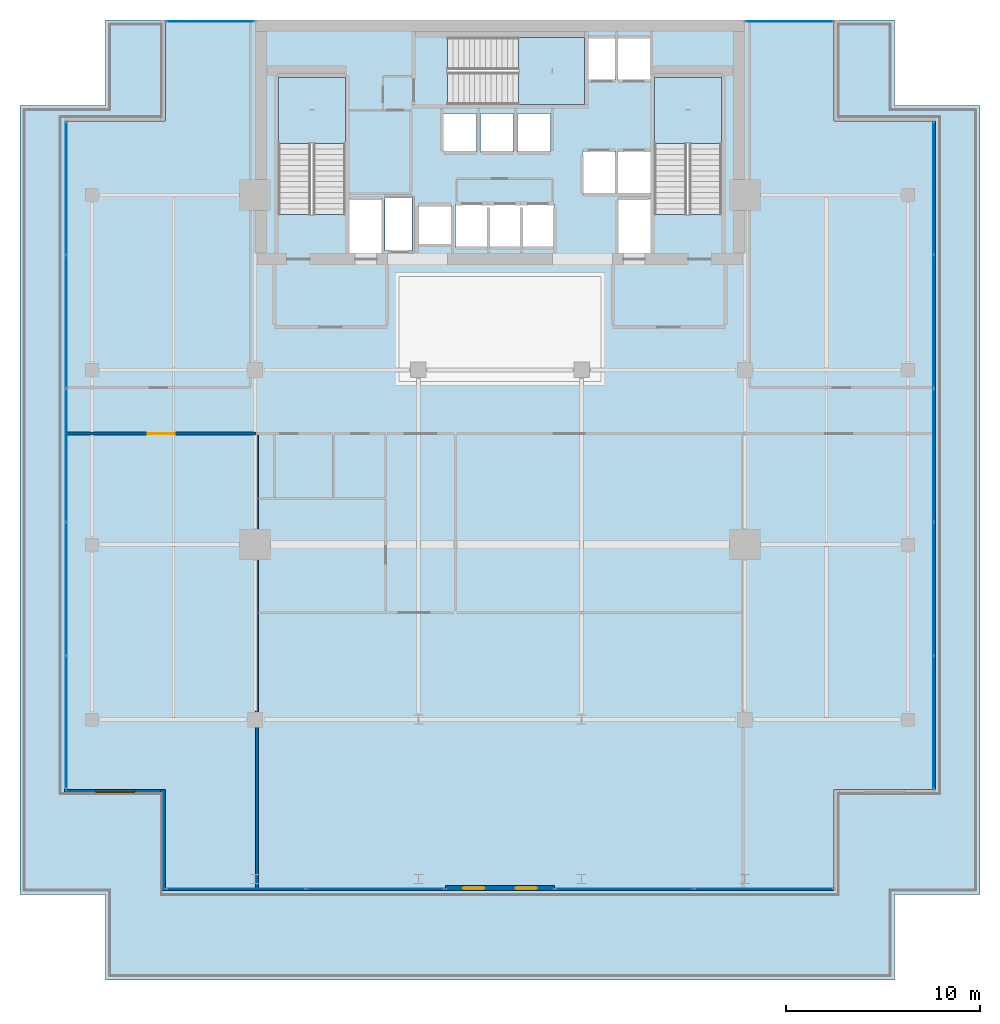
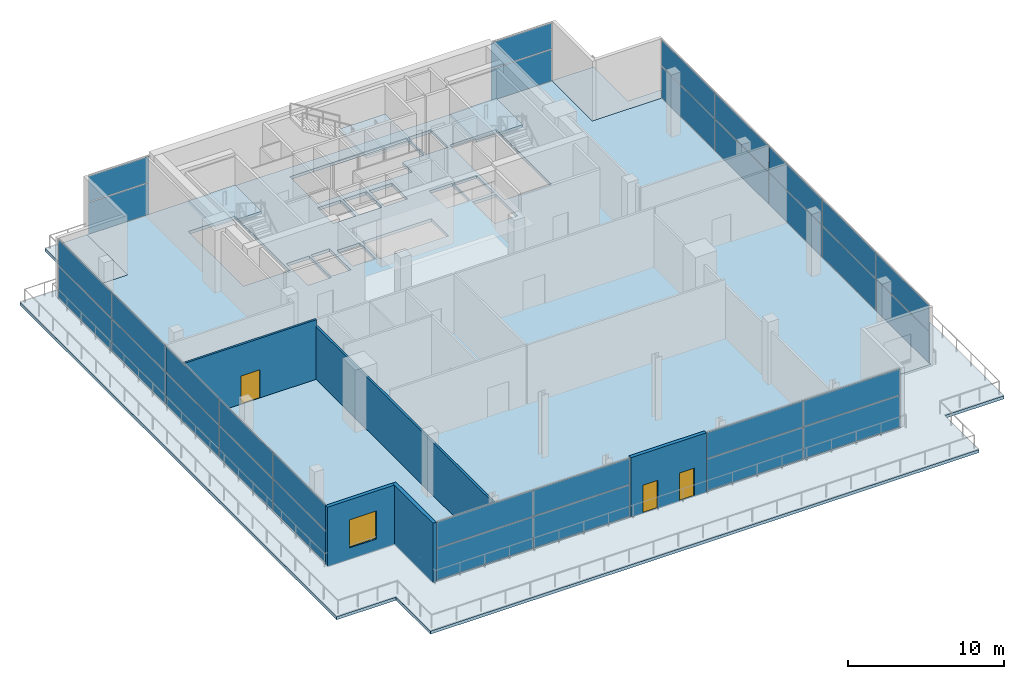
# One storey, part 21 of 28: 32 plates, 5 slabs, 5 walls, 3 doors, 1 window, 4 openings, 9 elements without a shape of their own.
"""IFC4 building model written with IfcOpenShell, lengths in metres."""

from ifc_helpers import new_model, si_unit, direction, frame, frame_2d, origin, origin_2d, place, context, subcontext, project, spatial, polyline, rectangle, outline, extrude, material, layer, layer_set, type_object, element, fill, aggregate, save


model = new_model("IFC4")

# Units and contexts
model_context = context("Model", 3, precision=1e-05, world=origin(), true_north=direction((0.0, 1.0)))
body_context = subcontext(model_context, "Body", "Model", "MODEL_VIEW")
ifc_project = project(units=[si_unit("LENGTHUNIT", "METRE"), si_unit("AREAUNIT", "SQUARE_METRE"), si_unit("VOLUMEUNIT", "CUBIC_METRE"), si_unit("PLANEANGLEUNIT", "RADIAN"), si_unit("MASSUNIT", "GRAM", prefix="KILO")], contexts=[model_context])

# Site, building, storey
site_placement = place(None, origin())
site = spatial("IfcSite", under=ifc_project, at=site_placement, CompositionType="ELEMENT")
building_placement = place(site_placement, origin())
building = spatial("IfcBuilding", under=site, at=building_placement, Name="Maruvema Waterfront Hotel and Observation Tower", CompositionType="ELEMENT")
storey_placement = place(building_placement, frame((0.0, 0.0, 234.5)))
storey = spatial("IfcBuildingStorey", under=building, at=storey_placement, Name="L57", CompositionType="ELEMENT", Elevation=234.5)

# Slabs
ifc_material_1 = material(Name="Concrete C50/60", Category="concrete")
ifc_layer_1 = layer(ifc_material_1, 0.239990234375, Name="Outdoor Setback Terrace Deck Slab 240 mm")
ifc_layer_set_1 = layer_set([ifc_layer_1], Name="Concrete C50/60")
slab_type_1 = type_object("IfcSlabType", Name="Outdoor Setback Terrace Deck Slab 240 mm", PredefinedType="FLOOR", material=ifc_layer_set_1)
slab_1_placement = place(storey_placement, frame((0.0, 0.0, -0.239990234375)))
element("IfcSlab", 1, at=slab_1_placement, inside=storey, type_object=slab_type_1, Name="L57 Outdoor Setback Terrace Deck 1", PredefinedType="FLOOR", context=body_context, shape_type="SweptSolid", body=[
    extrude(outline(polyline([(58.10009765625, 54.0), (58.10009765625, 49.60009765625), (62.5, 49.60009765625), (62.5, 9.0), (58.10009765625, 9.0), (58.10009765625, 4.60009765625), (17.5, 4.60009765625), (17.5, 9.0), (13.10009765625, 9.0), (13.10009765625, 49.60009765625), (17.5, 49.60009765625), (17.5, 54.0), (20.60009765625, 54.0), (20.60009765625, 48.800048828125), (15.39990234375, 48.800048828125), (15.39990234375, 14.39990234375), (20.60009765625, 14.39990234375), (20.60009765625, 9.199951171875), (55.0, 9.199951171875), (55.0, 14.39990234375), (60.199951171875, 14.39990234375), (60.199951171875, 48.800048828125), (55.0, 48.800048828125), (55.0, 54.0), (58.10009765625, 54.0)])), origin(), (0.0, 0.0, 1.0), 0.239990234375),
])
ifc_material_2 = material(Name="Concrete C50/60", Category="concrete")
ifc_layer_2 = layer(ifc_material_2, 0.239990234375, Name="Reinforced Concrete Floor Slab 240 mm")
ifc_layer_set_2 = layer_set([ifc_layer_2], Name="Concrete C50/60")
slab_type_2 = type_object("IfcSlabType", Name="Reinforced Concrete Floor Slab 240 mm", PredefinedType="FLOOR", material=ifc_layer_set_2)
slab_2_placement = place(storey_placement, frame((0.0, 0.0, -0.239990234375)))
element("IfcSlab", 2, at=slab_2_placement, inside=storey, type_object=slab_type_2, Name="L57 Structural Floor Slab", PredefinedType="FLOOR", context=body_context, shape_type="SweptSolid", body=[
    extrude(outline(polyline([(20.60009765625, 9.199951171875), (55.0, 9.199951171875), (55.0, 14.39990234375), (60.199951171875, 14.39990234375), (60.199951171875, 48.800048828125), (55.0, 48.800048828125), (55.0, 54.0), (20.60009765625, 54.0), (20.60009765625, 48.800048828125), (15.39990234375, 48.800048828125), (15.39990234375, 14.39990234375), (20.60009765625, 14.39990234375), (20.60009765625, 9.199951171875)]), holes=[polyline([(26.39990234375, 44.00048828125), (26.39990234375, 51.050048828125), (29.85009765625, 51.050048828125), (29.85009765625, 44.00048828125), (26.39990234375, 44.00048828125)]), polyline([(30.050048828125, 44.800048828125), (31.75, 44.800048828125), (31.75, 42.02001953125), (30.050048828125, 42.02001953125), (30.050048828125, 44.800048828125)]), polyline([(31.8798828125, 44.860107421875), (33.280029296875, 44.860107421875), (33.280029296875, 42.139892578125), (31.8798828125, 42.139892578125), (31.8798828125, 44.860107421875)]), polyline([(33.60009765625, 44.449951171875), (35.300048828125, 44.449951171875), (35.300048828125, 42.449951171875), (33.60009765625, 42.449951171875), (33.60009765625, 44.449951171875)]), polyline([(34.89990234375, 49.199951171875), (36.60009765625, 49.199951171875), (36.60009765625, 47.199951171875), (34.89990234375, 47.199951171875), (34.89990234375, 49.199951171875)]), polyline([(36.800048828125, 49.199951171875), (38.5, 49.199951171875), (38.5, 47.199951171875), (36.800048828125, 47.199951171875), (36.800048828125, 49.199951171875)]), polyline([(35.5, 42.300048828125), (35.5, 44.5), (40.60009765625, 44.5), (40.60009765625, 42.300048828125), (35.5, 42.300048828125)]), polyline([(35.1005859375, 53.10009765625), (43.75, 53.10009765625), (43.75, 50.89990234375), (42.14990234375, 50.89990234375), (42.14990234375, 49.64990234375), (35.1005859375, 49.64990234375), (35.1005859375, 53.10009765625)]), polyline([(38.699951171875, 49.199951171875), (40.39990234375, 49.199951171875), (40.39990234375, 47.199951171875), (38.699951171875, 47.199951171875), (38.699951171875, 49.199951171875)]), polyline([(42.050048828125, 47.25), (43.75, 47.25), (43.75, 45.050048828125), (42.050048828125, 45.050048828125), (42.050048828125, 47.25)]), polyline([(43.85009765625, 44.800048828125), (45.550048828125, 44.800048828125), (45.550048828125, 42.02001953125), (43.85009765625, 42.02001953125), (43.85009765625, 44.800048828125)]), polyline([(43.85009765625, 47.25), (45.550048828125, 47.25), (45.550048828125, 45.050048828125), (43.85009765625, 45.050048828125), (43.85009765625, 47.25)]), polyline([(45.550048828125, 53.10009765625), (45.550048828125, 50.89990234375), (43.85009765625, 50.89990234375), (43.85009765625, 53.10009765625), (45.550048828125, 53.10009765625)]), polyline([(45.75, 44.00048828125), (45.75, 51.050048828125), (49.199951171875, 51.050048828125), (49.199951171875, 44.00048828125), (45.75, 44.00048828125)])]), origin(), (0.0, 0.0, 1.0), 0.239990234375),
])

# Curtain wall, plates
ifc_material_3 = material(Name="Anodised bronze aluminium and solar-control low-E IGU", Category="aluminium")
ifc_layer_3 = layer(ifc_material_3, 0.159912109375, Name="Zone 3 Champagne Inner Thermal Curtain Wall System CW-04")
ifc_layer_set_3 = layer_set([ifc_layer_3], Name="Anodised bronze aluminium and solar-control low-E IGU")
curtain_wall_type = type_object("IfcCurtainWallType", Name="Zone 3 Champagne Inner Thermal Curtain Wall System CW-04", PredefinedType="USERDEFINED", material=ifc_layer_set_3)
curtain_wall_1_placement = place(storey_placement, origin())
curtain_wall_1 = element("IfcCurtainWall", 3, at=curtain_wall_1_placement, inside=storey, type_object=curtain_wall_type, Name="L57 Curtain Wall CW-L57-SW", ObjectType="UNITISED CURTAIN WALL", PredefinedType="USERDEFINED")
ifc_material_4 = material(Name="Laminated low-E solar-control double glazing", Category="glass")
ifc_layer_4 = layer(ifc_material_4, 0.035888671875, Name="Solar Control Double-Glazed Curtain Panel 36 mm")
ifc_layer_set_4 = layer_set([ifc_layer_4], Name="Laminated low-E solar-control double glazing")
plate_type = type_object("IfcPlateType", Name="Solar Control Double-Glazed Curtain Panel 36 mm", PredefinedType="CURTAIN_PANEL", material=ifc_layer_set_4)
plate_1_placement = place(storey_placement, frame((24.215087890625, 9.280029296875, 0.06005859375), z_axis=(0.0, 0.0, 1.0), x_axis=(1.0, 0.0, 0.0)))
plate_1 = element("IfcPlate", 4, at=plate_1_placement, type_object=plate_type, Name="CW-04 panel 1.1", PredefinedType="CURTAIN_PANEL", context=body_context, shape_type="SweptSolid", body=[
    extrude(rectangle(XDim=7.110107421875, YDim=0.028076171875, at=origin_2d()), origin(), (0.0, 0.0, 1.0), 2.4599609375),
])
plate_2_placement = place(storey_placement, frame((24.215087890625, 9.280029296875, 2.580078125), z_axis=(0.0, 0.0, 1.0), x_axis=(1.0, 0.0, 0.0)))
plate_2 = element("IfcPlate", 5, at=plate_2_placement, type_object=plate_type, Name="CW-04 panel 1.2", PredefinedType="CURTAIN_PANEL", context=body_context, shape_type="SweptSolid", body=[
    extrude(rectangle(XDim=7.110107421875, YDim=0.028076171875, at=origin_2d()), origin(), (0.0, 0.0, 1.0), 2.02001953125),
])
plate_3_placement = place(storey_placement, frame((31.385009765625, 9.280029296875, 0.06005859375), z_axis=(0.0, 0.0, 1.0), x_axis=(1.0, 0.0, 0.0)))
plate_3 = element("IfcPlate", 6, at=plate_3_placement, type_object=plate_type, Name="CW-04 panel 2.1", PredefinedType="CURTAIN_PANEL", context=body_context, shape_type="SweptSolid", body=[
    extrude(rectangle(XDim=7.110107421875, YDim=0.028076171875, at=origin_2d()), origin(), (0.0, 0.0, 1.0), 2.4599609375),
])
plate_4_placement = place(storey_placement, frame((31.385009765625, 9.280029296875, 2.580078125), z_axis=(0.0, 0.0, 1.0), x_axis=(1.0, 0.0, 0.0)))
plate_4 = element("IfcPlate", 7, at=plate_4_placement, type_object=plate_type, Name="CW-04 panel 2.2", PredefinedType="CURTAIN_PANEL", context=body_context, shape_type="SweptSolid", body=[
    extrude(rectangle(XDim=7.110107421875, YDim=0.028076171875, at=origin_2d()), origin(), (0.0, 0.0, 1.0), 2.02001953125),
])
aggregate(curtain_wall_1, [plate_1, plate_2, plate_3, plate_4])

curtain_wall_2_placement = place(storey_placement, origin())
curtain_wall_2 = element("IfcCurtainWall", 8, at=curtain_wall_2_placement, inside=storey, type_object=curtain_wall_type, Name="L57 Curtain Wall CW-L57-SE", ObjectType="UNITISED CURTAIN WALL", PredefinedType="USERDEFINED")
plate_5_placement = place(storey_placement, frame((44.215087890625, 9.280029296875, 0.06005859375), z_axis=(0.0, 0.0, 1.0), x_axis=(1.0, 0.0, 0.0)))
plate_5 = element("IfcPlate", 9, at=plate_5_placement, type_object=plate_type, Name="CW-04 panel 1.1", PredefinedType="CURTAIN_PANEL", context=body_context, shape_type="SweptSolid", body=[
    extrude(rectangle(XDim=7.110107421875, YDim=0.028076171875, at=origin_2d()), origin(), (0.0, 0.0, 1.0), 2.4599609375),
])
plate_6_placement = place(storey_placement, frame((44.215087890625, 9.280029296875, 2.580078125), z_axis=(0.0, 0.0, 1.0), x_axis=(1.0, 0.0, 0.0)))
plate_6 = element("IfcPlate", 10, at=plate_6_placement, type_object=plate_type, Name="CW-04 panel 1.2", PredefinedType="CURTAIN_PANEL", context=body_context, shape_type="SweptSolid", body=[
    extrude(rectangle(XDim=7.110107421875, YDim=0.028076171875, at=origin_2d()), origin(), (0.0, 0.0, 1.0), 2.02001953125),
])
plate_7_placement = place(storey_placement, frame((51.385009765625, 9.280029296875, 0.06005859375), z_axis=(0.0, 0.0, 1.0), x_axis=(1.0, 0.0, 0.0)))
plate_7 = element("IfcPlate", 11, at=plate_7_placement, type_object=plate_type, Name="CW-04 panel 2.1", PredefinedType="CURTAIN_PANEL", context=body_context, shape_type="SweptSolid", body=[
    extrude(rectangle(XDim=7.110107421875, YDim=0.028076171875, at=origin_2d()), origin(), (0.0, 0.0, 1.0), 2.4599609375),
])
plate_8_placement = place(storey_placement, frame((51.385009765625, 9.280029296875, 2.580078125), z_axis=(0.0, 0.0, 1.0), x_axis=(1.0, 0.0, 0.0)))
plate_8 = element("IfcPlate", 12, at=plate_8_placement, type_object=plate_type, Name="CW-04 panel 2.2", PredefinedType="CURTAIN_PANEL", context=body_context, shape_type="SweptSolid", body=[
    extrude(rectangle(XDim=7.110107421875, YDim=0.028076171875, at=origin_2d()), origin(), (0.0, 0.0, 1.0), 2.02001953125),
])
aggregate(curtain_wall_2, [plate_5, plate_6, plate_7, plate_8])

curtain_wall_3_placement = place(storey_placement, origin())
curtain_wall_3 = element("IfcCurtainWall", 13, at=curtain_wall_3_placement, inside=storey, type_object=curtain_wall_type, Name="L57 Curtain Wall CW-L57-E", ObjectType="UNITISED CURTAIN WALL", PredefinedType="USERDEFINED")
plate_9_placement = place(storey_placement, frame((60.1201171875, 17.85498046875, 0.06005859375), z_axis=(0.0, 0.0, 1.0), x_axis=(0.0, 1.0, 0.0)))
plate_9 = element("IfcPlate", 14, at=plate_9_placement, type_object=plate_type, Name="CW-04 panel 1.1", PredefinedType="CURTAIN_PANEL", context=body_context, shape_type="SweptSolid", body=[
    extrude(rectangle(XDim=6.7900390625, YDim=0.028076171875, at=origin_2d()), origin(), (0.0, 0.0, 1.0), 2.4599609375),
])
plate_10_placement = place(storey_placement, frame((60.1201171875, 17.85498046875, 2.580078125), z_axis=(0.0, 0.0, 1.0), x_axis=(0.0, 1.0, 0.0)))
plate_10 = element("IfcPlate", 15, at=plate_10_placement, type_object=plate_type, Name="CW-04 panel 1.2", PredefinedType="CURTAIN_PANEL", context=body_context, shape_type="SweptSolid", body=[
    extrude(rectangle(XDim=6.7900390625, YDim=0.028076171875, at=origin_2d()), origin(), (0.0, 0.0, 1.0), 2.02001953125),
])
plate_11_placement = place(storey_placement, frame((60.1201171875, 24.719970703125, 0.06005859375), z_axis=(0.0, 0.0, 1.0), x_axis=(0.0, 1.0, 0.0)))
plate_11 = element("IfcPlate", 16, at=plate_11_placement, type_object=plate_type, Name="CW-04 panel 2.1", PredefinedType="CURTAIN_PANEL", context=body_context, shape_type="SweptSolid", body=[
    extrude(rectangle(XDim=6.820068359375, YDim=0.028076171875, at=origin_2d()), origin(), (0.0, 0.0, 1.0), 2.4599609375),
])
plate_12_placement = place(storey_placement, frame((60.1201171875, 24.719970703125, 2.580078125), z_axis=(0.0, 0.0, 1.0), x_axis=(0.0, 1.0, 0.0)))
plate_12 = element("IfcPlate", 17, at=plate_12_placement, type_object=plate_type, Name="CW-04 panel 2.2", PredefinedType="CURTAIN_PANEL", context=body_context, shape_type="SweptSolid", body=[
    extrude(rectangle(XDim=6.820068359375, YDim=0.028076171875, at=origin_2d()), origin(), (0.0, 0.0, 1.0), 2.02001953125),
])
plate_13_placement = place(storey_placement, frame((60.1201171875, 31.60009765625, 0.06005859375), z_axis=(0.0, 0.0, 1.0), x_axis=(0.0, 1.0, 0.0)))
plate_13 = element("IfcPlate", 18, at=plate_13_placement, type_object=plate_type, Name="CW-04 panel 3.1", PredefinedType="CURTAIN_PANEL", context=body_context, shape_type="SweptSolid", body=[
    extrude(rectangle(XDim=6.820068359375, YDim=0.028076171875, at=origin_2d()), origin(), (0.0, 0.0, 1.0), 2.4599609375),
])
plate_14_placement = place(storey_placement, frame((60.1201171875, 31.60009765625, 2.580078125), z_axis=(0.0, 0.0, 1.0), x_axis=(0.0, 1.0, 0.0)))
plate_14 = element("IfcPlate", 19, at=plate_14_placement, type_object=plate_type, Name="CW-04 panel 3.2", PredefinedType="CURTAIN_PANEL", context=body_context, shape_type="SweptSolid", body=[
    extrude(rectangle(XDim=6.820068359375, YDim=0.028076171875, at=origin_2d()), origin(), (0.0, 0.0, 1.0), 2.02001953125),
])
plate_15_placement = place(storey_placement, frame((60.1201171875, 38.47998046875, 0.06005859375), z_axis=(0.0, 0.0, 1.0), x_axis=(0.0, 1.0, 0.0)))
plate_15 = element("IfcPlate", 20, at=plate_15_placement, type_object=plate_type, Name="CW-04 panel 4.1", PredefinedType="CURTAIN_PANEL", context=body_context, shape_type="SweptSolid", body=[
    extrude(rectangle(XDim=6.820068359375, YDim=0.028076171875, at=origin_2d()), origin(), (0.0, 0.0, 1.0), 2.4599609375),
])
plate_16_placement = place(storey_placement, frame((60.1201171875, 38.47998046875, 2.580078125), z_axis=(0.0, 0.0, 1.0), x_axis=(0.0, 1.0, 0.0)))
plate_16 = element("IfcPlate", 21, at=plate_16_placement, type_object=plate_type, Name="CW-04 panel 4.2", PredefinedType="CURTAIN_PANEL", context=body_context, shape_type="SweptSolid", body=[
    extrude(rectangle(XDim=6.820068359375, YDim=0.028076171875, at=origin_2d()), origin(), (0.0, 0.0, 1.0), 2.02001953125),
])
plate_17_placement = place(storey_placement, frame((60.1201171875, 45.344970703125, 0.06005859375), z_axis=(0.0, 0.0, 1.0), x_axis=(0.0, 1.0, 0.0)))
plate_17 = element("IfcPlate", 22, at=plate_17_placement, type_object=plate_type, Name="CW-04 panel 5.1", PredefinedType="CURTAIN_PANEL", context=body_context, shape_type="SweptSolid", body=[
    extrude(rectangle(XDim=6.7900390625, YDim=0.028076171875, at=origin_2d()), origin(), (0.0, 0.0, 1.0), 2.4599609375),
])
plate_18_placement = place(storey_placement, frame((60.1201171875, 45.344970703125, 2.580078125), z_axis=(0.0, 0.0, 1.0), x_axis=(0.0, 1.0, 0.0)))
plate_18 = element("IfcPlate", 23, at=plate_18_placement, type_object=plate_type, Name="CW-04 panel 5.2", PredefinedType="CURTAIN_PANEL", context=body_context, shape_type="SweptSolid", body=[
    extrude(rectangle(XDim=6.7900390625, YDim=0.028076171875, at=origin_2d()), origin(), (0.0, 0.0, 1.0), 2.02001953125),
])
aggregate(curtain_wall_3, [plate_9, plate_10, plate_11, plate_12, plate_13, plate_14, plate_15, plate_16, plate_17, plate_18])

curtain_wall_4_placement = place(storey_placement, origin())
curtain_wall_4 = element("IfcCurtainWall", 24, at=curtain_wall_4_placement, inside=storey, type_object=curtain_wall_type, Name="L57 Curtain Wall CW-L57-W", ObjectType="UNITISED CURTAIN WALL", PredefinedType="USERDEFINED")
plate_19_placement = place(storey_placement, frame((15.47998046875, 45.344970703125, 0.06005859375), z_axis=(0.0, 0.0, 1.0), x_axis=(0.0, -1.0, 0.0)))
plate_19 = element("IfcPlate", 25, at=plate_19_placement, type_object=plate_type, Name="CW-04 panel 1.1", PredefinedType="CURTAIN_PANEL", context=body_context, shape_type="SweptSolid", body=[
    extrude(rectangle(XDim=6.7900390625, YDim=0.028076171875, at=origin_2d()), origin(), (0.0, 0.0, 1.0), 2.4599609375),
])
plate_20_placement = place(storey_placement, frame((15.47998046875, 45.344970703125, 2.580078125), z_axis=(0.0, 0.0, 1.0), x_axis=(0.0, -1.0, 0.0)))
plate_20 = element("IfcPlate", 26, at=plate_20_placement, type_object=plate_type, Name="CW-04 panel 1.2", PredefinedType="CURTAIN_PANEL", context=body_context, shape_type="SweptSolid", body=[
    extrude(rectangle(XDim=6.7900390625, YDim=0.028076171875, at=origin_2d()), origin(), (0.0, 0.0, 1.0), 2.02001953125),
])
plate_21_placement = place(storey_placement, frame((15.47998046875, 38.47998046875, 0.06005859375), z_axis=(0.0, 0.0, 1.0), x_axis=(0.0, -1.0, 0.0)))
plate_21 = element("IfcPlate", 27, at=plate_21_placement, type_object=plate_type, Name="CW-04 panel 2.1", PredefinedType="CURTAIN_PANEL", context=body_context, shape_type="SweptSolid", body=[
    extrude(rectangle(XDim=6.820068359375, YDim=0.028076171875, at=origin_2d()), origin(), (0.0, 0.0, 1.0), 2.4599609375),
])
plate_22_placement = place(storey_placement, frame((15.47998046875, 38.47998046875, 2.580078125), z_axis=(0.0, 0.0, 1.0), x_axis=(0.0, -1.0, 0.0)))
plate_22 = element("IfcPlate", 28, at=plate_22_placement, type_object=plate_type, Name="CW-04 panel 2.2", PredefinedType="CURTAIN_PANEL", context=body_context, shape_type="SweptSolid", body=[
    extrude(rectangle(XDim=6.820068359375, YDim=0.028076171875, at=origin_2d()), origin(), (0.0, 0.0, 1.0), 2.02001953125),
])
plate_23_placement = place(storey_placement, frame((15.47998046875, 31.60009765625, 0.06005859375), z_axis=(0.0, 0.0, 1.0), x_axis=(0.0, -1.0, 0.0)))
plate_23 = element("IfcPlate", 29, at=plate_23_placement, type_object=plate_type, Name="CW-04 panel 3.1", PredefinedType="CURTAIN_PANEL", context=body_context, shape_type="SweptSolid", body=[
    extrude(rectangle(XDim=6.820068359375, YDim=0.028076171875, at=origin_2d()), origin(), (0.0, 0.0, 1.0), 2.4599609375),
])
plate_24_placement = place(storey_placement, frame((15.47998046875, 31.60009765625, 2.580078125), z_axis=(0.0, 0.0, 1.0), x_axis=(0.0, -1.0, 0.0)))
plate_24 = element("IfcPlate", 30, at=plate_24_placement, type_object=plate_type, Name="CW-04 panel 3.2", PredefinedType="CURTAIN_PANEL", context=body_context, shape_type="SweptSolid", body=[
    extrude(rectangle(XDim=6.820068359375, YDim=0.028076171875, at=origin_2d()), origin(), (0.0, 0.0, 1.0), 2.02001953125),
])
plate_25_placement = place(storey_placement, frame((15.47998046875, 24.719970703125, 0.06005859375), z_axis=(0.0, 0.0, 1.0), x_axis=(0.0, -1.0, 0.0)))
plate_25 = element("IfcPlate", 31, at=plate_25_placement, type_object=plate_type, Name="CW-04 panel 4.1", PredefinedType="CURTAIN_PANEL", context=body_context, shape_type="SweptSolid", body=[
    extrude(rectangle(XDim=6.820068359375, YDim=0.028076171875, at=origin_2d()), origin(), (0.0, 0.0, 1.0), 2.4599609375),
])
plate_26_placement = place(storey_placement, frame((15.47998046875, 24.719970703125, 2.580078125), z_axis=(0.0, 0.0, 1.0), x_axis=(0.0, -1.0, 0.0)))
plate_26 = element("IfcPlate", 32, at=plate_26_placement, type_object=plate_type, Name="CW-04 panel 4.2", PredefinedType="CURTAIN_PANEL", context=body_context, shape_type="SweptSolid", body=[
    extrude(rectangle(XDim=6.820068359375, YDim=0.028076171875, at=origin_2d()), origin(), (0.0, 0.0, 1.0), 2.02001953125),
])
plate_27_placement = place(storey_placement, frame((15.47998046875, 17.85498046875, 0.06005859375), z_axis=(0.0, 0.0, 1.0), x_axis=(0.0, -1.0, 0.0)))
plate_27 = element("IfcPlate", 33, at=plate_27_placement, type_object=plate_type, Name="CW-04 panel 5.1", PredefinedType="CURTAIN_PANEL", context=body_context, shape_type="SweptSolid", body=[
    extrude(rectangle(XDim=6.7900390625, YDim=0.028076171875, at=origin_2d()), origin(), (0.0, 0.0, 1.0), 2.4599609375),
])
plate_28_placement = place(storey_placement, frame((15.47998046875, 17.85498046875, 2.580078125), z_axis=(0.0, 0.0, 1.0), x_axis=(0.0, -1.0, 0.0)))
plate_28 = element("IfcPlate", 34, at=plate_28_placement, type_object=plate_type, Name="CW-04 panel 5.2", PredefinedType="CURTAIN_PANEL", context=body_context, shape_type="SweptSolid", body=[
    extrude(rectangle(XDim=6.7900390625, YDim=0.028076171875, at=origin_2d()), origin(), (0.0, 0.0, 1.0), 2.02001953125),
])
aggregate(curtain_wall_4, [plate_19, plate_20, plate_21, plate_22, plate_23, plate_24, plate_25, plate_26, plate_27, plate_28])

curtain_wall_5_placement = place(storey_placement, origin())
curtain_wall_5 = element("IfcCurtainWall", 35, at=curtain_wall_5_placement, inside=storey, type_object=curtain_wall_type, Name="L57 Curtain Wall CW-L57-NW", ObjectType="UNITISED CURTAIN WALL", PredefinedType="USERDEFINED")
plate_29_placement = place(storey_placement, frame((22.89990234375, 53.919921875, 0.06005859375), z_axis=(0.0, 0.0, 1.0), x_axis=(-1.0, 0.0, 0.0)))
plate_29 = element("IfcPlate", 36, at=plate_29_placement, type_object=plate_type, Name="CW-04 panel 1.1", PredefinedType="CURTAIN_PANEL", context=body_context, shape_type="SweptSolid", body=[
    extrude(rectangle(XDim=4.47998046875, YDim=0.028076171875, at=origin_2d()), origin(), (0.0, 0.0, 1.0), 2.4599609375),
])
plate_30_placement = place(storey_placement, frame((22.89990234375, 53.919921875, 2.580078125), z_axis=(0.0, 0.0, 1.0), x_axis=(-1.0, 0.0, 0.0)))
plate_30 = element("IfcPlate", 37, at=plate_30_placement, type_object=plate_type, Name="CW-04 panel 1.2", PredefinedType="CURTAIN_PANEL", context=body_context, shape_type="SweptSolid", body=[
    extrude(rectangle(XDim=4.47998046875, YDim=0.028076171875, at=origin_2d()), origin(), (0.0, 0.0, 1.0), 2.02001953125),
])
aggregate(curtain_wall_5, [plate_29, plate_30])

curtain_wall_6_placement = place(storey_placement, origin())
curtain_wall_6 = element("IfcCurtainWall", 38, at=curtain_wall_6_placement, inside=storey, type_object=curtain_wall_type, Name="L57 Curtain Wall CW-L57-NE", ObjectType="UNITISED CURTAIN WALL", PredefinedType="USERDEFINED")
plate_31_placement = place(storey_placement, frame((52.699951171875, 53.919921875, 0.06005859375), z_axis=(0.0, 0.0, 1.0), x_axis=(-1.0, 0.0, 0.0)))
plate_31 = element("IfcPlate", 39, at=plate_31_placement, type_object=plate_type, Name="CW-04 panel 1.1", PredefinedType="CURTAIN_PANEL", context=body_context, shape_type="SweptSolid", body=[
    extrude(rectangle(XDim=4.47998046875, YDim=0.028076171875, at=origin_2d()), origin(), (0.0, 0.0, 1.0), 2.4599609375),
])
plate_32_placement = place(storey_placement, frame((52.699951171875, 53.919921875, 2.580078125), z_axis=(0.0, 0.0, 1.0), x_axis=(-1.0, 0.0, 0.0)))
plate_32 = element("IfcPlate", 40, at=plate_32_placement, type_object=plate_type, Name="CW-04 panel 1.2", PredefinedType="CURTAIN_PANEL", context=body_context, shape_type="SweptSolid", body=[
    extrude(rectangle(XDim=4.47998046875, YDim=0.028076171875, at=origin_2d()), origin(), (0.0, 0.0, 1.0), 2.02001953125),
])
aggregate(curtain_wall_6, [plate_31, plate_32])

# Stair, slab
ifc_material_5 = material(Name="Concrete C50/60", Category="concrete")
stair_type = type_object("IfcStairType", Name="Dogleg Exit Stair 1650 mm (28R x 175.0 mm)", PredefinedType="HALF_TURN_STAIR", material=ifc_material_5)
stair_1_placement = place(storey_placement, origin())
stair_1 = element("IfcStair", 41, at=stair_1_placement, inside=storey, type_object=stair_type, Name="L57 ST-01", PredefinedType="HALF_TURN_STAIR")
ifc_material_6 = material(Name="Concrete C50/60", Category="concrete")
ifc_layer_5 = layer(ifc_material_6, 0.219970703125, Name="Stair Concrete Landing Slab 220 mm")
ifc_layer_set_5 = layer_set([ifc_layer_5], Name="Concrete C50/60")
slab_type_3 = type_object("IfcSlabType", Name="Stair Concrete Landing Slab 220 mm", PredefinedType="LANDING", material=ifc_layer_set_5)
slab_3_placement = place(storey_placement, frame((0.0, 0.0, 2.22998046875)))
slab_3 = element("IfcSlab", 42, at=slab_3_placement, type_object=slab_type_3, Name="ST-01 landing 1", PredefinedType="LANDING", context=body_context, shape_type="SweptSolid", body=[
    extrude(outline(polyline([(29.85009765625, 47.639892578125), (29.85009765625, 51.050048828125), (26.39990234375, 51.050048828125), (26.39990234375, 47.639892578125), (29.85009765625, 47.639892578125)])), origin(), (0.0, 0.0, 1.0), 0.219970703125),
])
aggregate(stair_1, [slab_3])

stair_2_placement = place(storey_placement, origin())
stair_2 = element("IfcStair", 43, at=stair_2_placement, inside=storey, type_object=stair_type, Name="L57 ST-02", PredefinedType="HALF_TURN_STAIR")
slab_4_placement = place(storey_placement, frame((0.0, 0.0, 2.22998046875)))
slab_4 = element("IfcSlab", 44, at=slab_4_placement, type_object=slab_type_3, Name="ST-02 landing 1", PredefinedType="LANDING", context=body_context, shape_type="SweptSolid", body=[
    extrude(outline(polyline([(38.739990234375, 49.64990234375), (42.14990234375, 49.64990234375), (42.14990234375, 53.10009765625), (38.739990234375, 53.10009765625), (38.739990234375, 49.64990234375)])), origin(), (0.0, 0.0, 1.0), 0.219970703125),
])
aggregate(stair_2, [slab_4])

stair_3_placement = place(storey_placement, origin())
stair_3 = element("IfcStair", 45, at=stair_3_placement, inside=storey, type_object=stair_type, Name="L57 ST-03", PredefinedType="HALF_TURN_STAIR")
slab_5_placement = place(storey_placement, frame((0.0, 0.0, 2.22998046875)))
slab_5 = element("IfcSlab", 46, at=slab_5_placement, type_object=slab_type_3, Name="ST-03 landing 1", PredefinedType="LANDING", context=body_context, shape_type="SweptSolid", body=[
    extrude(outline(polyline([(49.199951171875, 47.639892578125), (49.199951171875, 51.050048828125), (45.75, 51.050048828125), (45.75, 47.639892578125), (49.199951171875, 47.639892578125)])), origin(), (0.0, 0.0, 1.0), 0.219970703125),
])
aggregate(stair_3, [slab_5])

# Wall, opening, door
ifc_material_7 = material(Name="Twin-stud acoustic gypsum drywall", Category="gypsum")
ifc_layer_6 = layer(ifc_material_7, 0.14990234375, Name="Acoustic Corridor and Suite Demising Wall 150 mm")
ifc_layer_set_6 = layer_set([ifc_layer_6], Name="Twin-stud acoustic gypsum drywall")
wall_type_1 = type_object("IfcWallType", Name="Acoustic Corridor and Suite Demising Wall 150 mm", PredefinedType="PARTITIONING", material=ifc_layer_set_6)
wall_1_placement = place(storey_placement, frame((15.47998046875, 32.719970703125, 0.0), z_axis=(0.0, 0.0, 1.0), x_axis=(1.0, 0.0, 0.0)))
wall_1 = element("IfcWall", 47, at=wall_1_placement, inside=storey, type_object=wall_type_1, Name="L57 L57 Dining North 030", PredefinedType="PARTITIONING", context=body_context, shape_type="SweptSolid", body=[
    extrude(rectangle(XDim=9.77001953125, YDim=0.14990234375, at=frame_2d((4.885009765625, 0.0))), origin(), (0.0, 0.0, 1.0), 4.659912109375),
])
opening_1_placement = place(wall_1_placement, frame((4.18505859375, 0.0, 0.0)))
opening_1 = element("IfcOpeningElement", 48, at=opening_1_placement, cuts=wall_1, Name="Opening DR-140", PredefinedType="OPENING", context=body_context, shape_type="SweptSolid", body=[
    extrude(rectangle(XDim=1.39990234375, YDim=2.199951171875, at=frame_2d((0.699951171875, 1.10009765625))), frame((0.0, 0.0849609375, 0.0), z_axis=(0.0, -1.0, 0.0), x_axis=(1.0, 0.0, 0.0)), (0.0, 0.0, 1.0), 0.169921875),
])
ifc_material_8 = material(Name="Anodised bronze framed acoustic glass leaf", Category="glass")
door_type_1 = type_object("IfcDoorType", Name="Conference and Restaurant Double Door 1400x2200 mm", OperationType="DOUBLE_DOOR_SINGLE_SWING", PredefinedType="DOOR", material=ifc_material_8)
door_1_placement = place(opening_1_placement, origin())
door_1 = element("IfcDoor", 49, at=door_1_placement, inside=storey, type_object=door_type_1, Name="L57 L57 Dining Door", OperationType="DOUBLE_DOOR_SINGLE_SWING", OverallHeight=2.199951171875, OverallWidth=1.39990234375, PredefinedType="DOOR", context=body_context, shape_type="SweptSolid", body=[
    extrude(rectangle(XDim=1.39990234375, YDim=2.199951171875, at=frame_2d((0.699951171875, 1.10009765625))), frame((0.0, 0.02490234375, 0.0), z_axis=(0.0, -1.0, 0.0), x_axis=(1.0, 0.0, 0.0)), (0.0, 0.0, 1.0), 0.050048828125),
])
fill(opening_1, door_1)

# Walls
wall_2_placement = place(storey_placement, frame((25.300048828125, 9.280029296875, 0.0), z_axis=(0.0, 0.0, 1.0), x_axis=(0.0, 1.0, 0.0)))
element("IfcWall", 50, at=wall_2_placement, inside=storey, type_object=wall_type_1, Name="L57 L57 West Spine 032", PredefinedType="PARTITIONING", context=body_context, shape_type="SweptSolid", body=[
    extrude(rectangle(XDim=23.43994140625, YDim=0.14990234375, at=frame_2d((11.719970703125, 0.0))), origin(), (0.0, 0.0, 1.0), 4.126953125),
])
ifc_material_9 = material(Name="Precast concrete C45/55 with honed Pernambuco granite facing", Category="masonry")
ifc_layer_7 = layer(ifc_material_9, 0.260009765625, Name="Exterior Granite Clad Spandrel and Pier Wall 260 mm")
ifc_layer_set_7 = layer_set([ifc_layer_7], Name="Precast concrete C45/55 with honed Pernambuco granite facing")
wall_type_2 = type_object("IfcWallType", Name="Exterior Granite Clad Spandrel and Pier Wall 260 mm", PredefinedType="SOLIDWALL", material=ifc_layer_set_7)
wall_3_placement = place(storey_placement, frame((20.469970703125, 9.199951171875, 0.0), z_axis=(0.0, 0.0, 1.0), x_axis=(0.0, 1.0, 0.0)))
element("IfcWall", 51, at=wall_3_placement, inside=storey, type_object=wall_type_2, Name="L57 Corner Notch Granite Pier Wall SW1", PredefinedType="SOLIDWALL", context=body_context, shape_type="SweptSolid", body=[
    extrude(rectangle(XDim=5.199951171875, YDim=0.260009765625, at=frame_2d((2.60009765625, 0.0))), origin(), (0.0, 0.0, 1.0), 4.659912109375),
])

# Wall, opening, window
wall_4_placement = place(storey_placement, frame((20.60009765625, 14.27001953125, 0.0), z_axis=(0.0, 0.0, 1.0), x_axis=(-1.0, 0.0, 0.0)))
wall_4 = element("IfcWall", 52, at=wall_4_placement, inside=storey, type_object=wall_type_2, Name="L57 Corner Notch Granite Pier Wall SW2", PredefinedType="SOLIDWALL", context=body_context, shape_type="SweptSolid", body=[
    extrude(rectangle(XDim=5.2001953125, YDim=0.260009765625, at=frame_2d((2.60009765625, 0.0))), origin(), (0.0, 0.0, 1.0), 4.659912109375),
])
opening_2_placement = place(wall_4_placement, frame((1.60009765625, 0.0, 0.89990234375)))
opening_2 = element("IfcOpeningElement", 53, at=opening_2_placement, cuts=wall_4, Name="Opening WN-03", PredefinedType="OPENING", context=body_context, shape_type="SweptSolid", body=[
    extrude(rectangle(XDim=2.0, YDim=2.199951171875, at=frame_2d((1.0, 1.10009765625))), frame((0.0, 0.14013671875, 0.0), z_axis=(0.0, -1.0, 0.0), x_axis=(1.0, 0.0, 0.0)), (0.0, 0.0, 1.0), 0.280029296875),
])
ifc_material_10 = material(Name="Anodised bronze aluminium frame with laminated low-E glass", Category="aluminium")
window_type = type_object("IfcWindowType", Name="Sky Suite Panoramic Notch Window 2000x2200 mm", PartitioningType="SINGLE_PANEL", PredefinedType="WINDOW", material=ifc_material_10)
window_placement = place(opening_2_placement, origin())
window = element("IfcWindow", 54, at=window_placement, inside=storey, type_object=window_type, Name="L57 Corner Notch Punched Window SW2", OverallHeight=2.199951171875, OverallWidth=2.0, PartitioningType="SINGLE_PANEL", PredefinedType="WINDOW", context=body_context, shape_type="SweptSolid", body=[
    extrude(rectangle(XDim=2.0, YDim=2.199951171875, at=frame_2d((1.0, 1.10009765625))), frame((0.0, 0.030029296875, 0.0), z_axis=(0.0, -1.0, 0.0), x_axis=(1.0, 0.0, 0.0)), (0.0, 0.0, 1.0), 0.06005859375),
])
fill(opening_2, window)

# Wall, openings, doors
wall_5_placement = place(storey_placement, frame((40.60009765625, 9.330078125, 0.0), z_axis=(0.0, 0.0, 1.0), x_axis=(-1.0, 0.0, 0.0)))
wall_5 = element("IfcWall", 55, at=wall_5_placement, inside=storey, type_object=wall_type_2, Name="L57 South Terrace Access Portal Wall", PredefinedType="SOLIDWALL", context=body_context, shape_type="SweptSolid", body=[
    extrude(rectangle(XDim=5.60009765625, YDim=0.260009765625, at=frame_2d((2.800048828125, 0.0))), origin(), (0.0, 0.0, 1.0), 4.659912109375),
])
opening_3_placement = place(wall_5_placement, frame((0.89990234375, 0.0, 0.0)))
opening_3 = element("IfcOpeningElement", 56, at=opening_3_placement, cuts=wall_5, Name="Opening TD-01", PredefinedType="OPENING", context=body_context, shape_type="SweptSolid", body=[
    extrude(rectangle(XDim=1.10009765625, YDim=2.199951171875, at=frame_2d((0.550048828125, 1.10009765625))), frame((0.0, 0.14013671875, 0.0), z_axis=(0.0, -1.0, 0.0), x_axis=(1.0, 0.0, 0.0)), (0.0, 0.0, 1.0), 0.280029296875),
])
opening_4_placement = place(wall_5_placement, frame((3.60009765625, 0.0, 0.0)))
opening_4 = element("IfcOpeningElement", 57, at=opening_4_placement, cuts=wall_5, Name="Opening TD-01", PredefinedType="OPENING", context=body_context, shape_type="SweptSolid", body=[
    extrude(rectangle(XDim=1.10009765625, YDim=2.199951171875, at=frame_2d((0.550048828125, 1.10009765625))), frame((0.0, 0.14013671875, 0.0), z_axis=(0.0, -1.0, 0.0), x_axis=(1.0, 0.0, 0.0)), (0.0, 0.0, 1.0), 0.280029296875),
])
ifc_material_11 = material(Name="Anodised bronze aluminium and laminated safety glass", Category="aluminium")
door_type_2 = type_object("IfcDoorType", Name="Setback Terrace Weatherproof Glazed Door 1100x2200 mm", OperationType="NOTDEFINED", PredefinedType="DOOR", material=ifc_material_11)
door_2_placement = place(opening_3_placement, origin())
door_2 = element("IfcDoor", 58, at=door_2_placement, inside=storey, type_object=door_type_2, Name="L57 Setback Terrace Door East", OperationType="SINGLE_SWING_LEFT", OverallHeight=2.199951171875, OverallWidth=1.10009765625, PredefinedType="DOOR", context=body_context, shape_type="SweptSolid", body=[
    extrude(rectangle(XDim=1.10009765625, YDim=2.199951171875, at=frame_2d((0.550048828125, 1.10009765625))), frame((0.0, 0.02490234375, 0.0), z_axis=(0.0, -1.0, 0.0), x_axis=(1.0, 0.0, 0.0)), (0.0, 0.0, 1.0), 0.050048828125),
])
fill(opening_3, door_2)
door_3_placement = place(opening_4_placement, origin())
door_3 = element("IfcDoor", 59, at=door_3_placement, inside=storey, type_object=door_type_2, Name="L57 Setback Terrace Door West", OperationType="SINGLE_SWING_RIGHT", OverallHeight=2.199951171875, OverallWidth=1.10009765625, PredefinedType="DOOR", context=body_context, shape_type="SweptSolid", body=[
    extrude(rectangle(XDim=1.10009765625, YDim=2.199951171875, at=frame_2d((0.550048828125, 1.10009765625))), frame((0.0, 0.02490234375, 0.0), z_axis=(0.0, -1.0, 0.0), x_axis=(1.0, 0.0, 0.0)), (0.0, 0.0, 1.0), 0.050048828125),
])
fill(opening_4, door_3)

save(model, "model.ifc")
